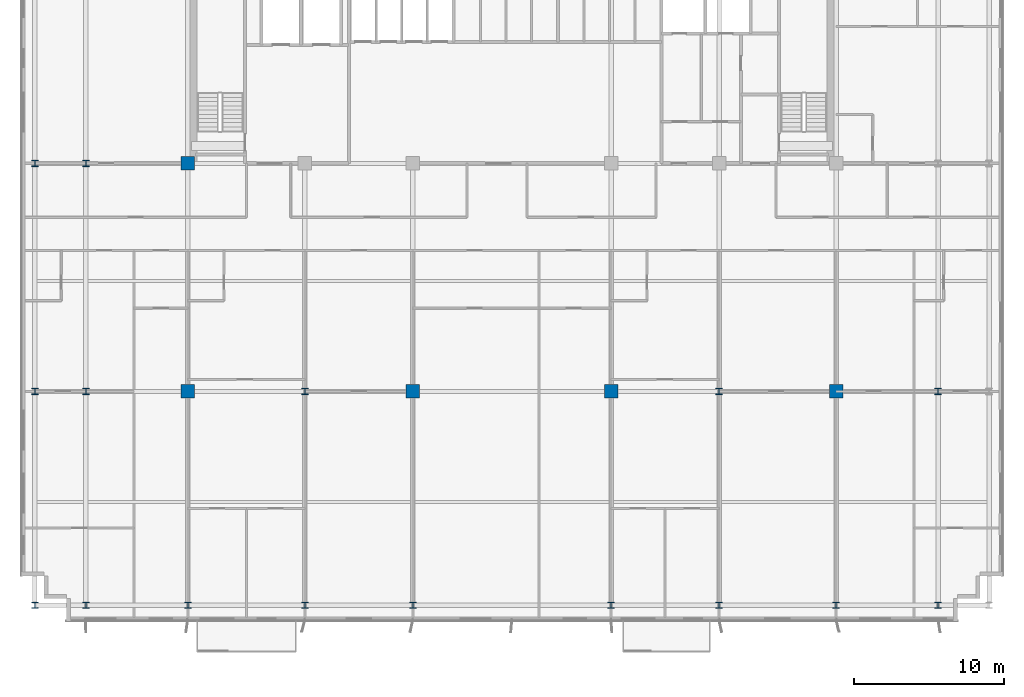
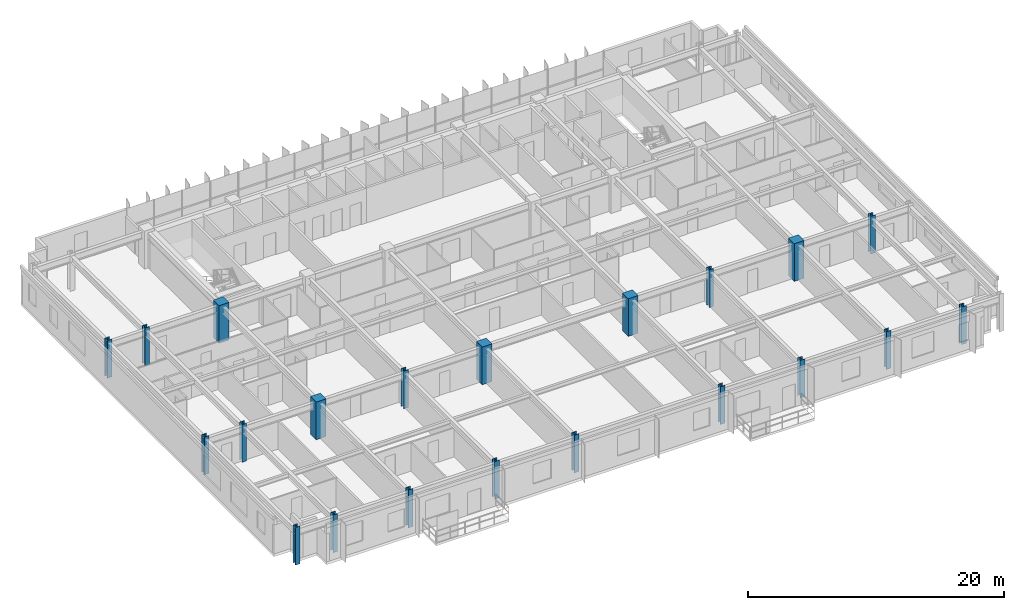
# One storey, part 1 of 22: 21 columns.
"""IFC4 building model written with IfcOpenShell, lengths in metres."""

import ifcopenshell
import ifcopenshell.guid

model = None  # the IFC model being written
_history = None  # IfcOwnerHistory: only IFC2X3 demands one
_inside = {}  # id of a spatial element -> (the spatial element, [elements in it])
_under = {}  # id of a project, library or spatial element -> (it, [spatial elements below it])
_declared = {}  # id of a project -> (the project, [libraries it declares])
_typed = {}  # id of a type object -> (the type object, [elements of that type])
_made_of = {}  # id of a material, layer set ... -> (it, [elements and type objects made of it])


def new_model(schema):
    """Start an empty IFC model of exactly this schema.

    Asked for "IFC4X3", IfcOpenShell would pick the latest addendum, in which some entities
    have other attributes; the version numbers below select the first issue.
    IFC2X3 requires an IfcOwnerHistory on every rooted entity: one is made here for all.
    """
    global model, _history
    if schema == "IFC4X3":
        model = ifcopenshell.file(schema_version=(4, 3, 0, 0))
    else:
        model = ifcopenshell.file(schema=schema)
    _inside.clear()
    _under.clear()
    _declared.clear()
    _typed.clear()
    _made_of.clear()
    _history = None
    if model.schema == "IFC2X3":
        org = make("IfcOrganization", Name="unknown")
        user = make(
            "IfcPersonAndOrganization",
            ThePerson=make("IfcPerson", FamilyName="unknown"),
            TheOrganization=org,
        )
        app = make(
            "IfcApplication",
            ApplicationDeveloper=org,
            Version="unknown",
            ApplicationFullName="unknown",
            ApplicationIdentifier="unknown",
        )
        _history = make(
            "IfcOwnerHistory",
            OwningUser=user,
            OwningApplication=app,
            ChangeAction="ADDED",
            CreationDate=0,
        )
    return model


def make(cls, **values):
    """One entity of the class cls with the attributes given. An attribute that is None is left unset."""
    return model.create_entity(
        cls, **{name: value for name, value in values.items() if value is not None}
    )


def rooted(cls, **values):
    """An entity with a GlobalId (a new one), such as an element, a storey or a relation."""
    return make(cls, GlobalId=ifcopenshell.guid.new(), OwnerHistory=_history, **values)


def si_unit(unit_type, name, prefix=None):
    """IfcSIUnit, for example si_unit("LENGTHUNIT", "METRE", prefix="MILLI")."""
    return make("IfcSIUnit", UnitType=unit_type, Prefix=prefix, Name=name)


def assignment(units):
    """IfcUnitAssignment: the units of a project."""
    return None if units is None else make("IfcUnitAssignment", Units=units)


def point(xyz):
    """IfcCartesianPoint."""
    return None if xyz is None else make("IfcCartesianPoint", Coordinates=xyz)


def direction(xyz):
    """IfcDirection."""
    return None if xyz is None else make("IfcDirection", DirectionRatios=xyz)


def frame(location, z_axis=None, x_axis=None):
    """IfcAxis2Placement3D, a coordinate frame: its origin and axes. An axis left out is left unset."""
    return make(
        "IfcAxis2Placement3D",
        Location=point(location),
        Axis=direction(z_axis),
        RefDirection=direction(x_axis),
    )


def frame_2d(location, x_axis=None):
    """IfcAxis2Placement2D, a coordinate frame in the plane: its origin and x axis."""
    return make(
        "IfcAxis2Placement2D", Location=point(location), RefDirection=direction(x_axis)
    )


def origin():
    """The frame at (0, 0, 0) with its axes left unset."""
    return frame((0.0, 0.0, 0.0))


def origin_2d():
    """The frame at (0, 0) in the plane with its x axis left unset."""
    return frame_2d((0.0, 0.0))


def place(relative_to, where):
    """IfcLocalPlacement: puts the frame where relative to a parent placement (None: the world)."""
    return make(
        "IfcLocalPlacement", PlacementRelTo=relative_to, RelativePlacement=where
    )


def context(
    kind, dimensions, precision=None, world=None, true_north=None, identifier=None
):
    """IfcGeometricRepresentationContext, for example the 3D "Model" context."""
    return make(
        "IfcGeometricRepresentationContext",
        ContextIdentifier=identifier,
        ContextType=kind,
        CoordinateSpaceDimension=dimensions,
        Precision=precision,
        WorldCoordinateSystem=world,
        TrueNorth=true_north,
    )


def subcontext(parent, identifier, kind, view, scale=None):
    """IfcGeometricRepresentationSubContext, for example "Body" below "Model"."""
    return make(
        "IfcGeometricRepresentationSubContext",
        ContextIdentifier=identifier,
        ContextType=kind,
        ParentContext=parent,
        TargetScale=scale,
        TargetView=view,
    )


def project(units=None, contexts=None):
    """IfcProject with its units and contexts."""
    return rooted(
        "IfcProject",
        Name="project",
        RepresentationContexts=contexts,
        UnitsInContext=assignment(units),
    )


def spatial(cls, under=None, at=None, **own):
    """A site, building, storey or space (cls), placed at a placement, below another one or the project."""
    s = rooted(cls, ObjectPlacement=at, **own)
    if under is not None:
        _under.setdefault(under.id(), (under, []))[1].append(s)
    return s


def profile(cls, at=None, kind="AREA", **sizes):
    """A parametric profile (cls). Its sizes go by their IFC names, for example OverallWidth=200.0."""
    return make(cls, ProfileType=kind, Position=at, **sizes)


def rectangle(**sizes):
    """IfcRectangleProfileDef."""
    return profile("IfcRectangleProfileDef", **sizes)


def i_section(**sizes):
    """IfcIShapeProfileDef."""
    return profile("IfcIShapeProfileDef", **sizes)


def extrude(swept, where, along, depth):
    """IfcExtrudedAreaSolid: the profile swept, set in the frame where, extruded along a direction by depth."""
    return make(
        "IfcExtrudedAreaSolid",
        SweptArea=swept,
        Position=where,
        ExtrudedDirection=direction(along),
        Depth=depth,
    )


def shape(context_of_items, identifier, shape_type, items):
    """IfcShapeRepresentation: the items that make up one representation, for example the "Body"."""
    return make(
        "IfcShapeRepresentation",
        ContextOfItems=context_of_items,
        RepresentationIdentifier=identifier,
        RepresentationType=shape_type,
        Items=items,
    )


def source(mapping_origin, context_of_items, identifier, shape_type, items):
    """IfcRepresentationMap: a shape defined once, which mapped items show again and again."""
    return make(
        "IfcRepresentationMap",
        MappingOrigin=mapping_origin,
        MappedRepresentation=shape(context_of_items, identifier, shape_type, items),
    )


def transform(
    local_origin,
    x_axis=None,
    y_axis=None,
    z_axis=None,
    scale=None,
    scale2=None,
    scale3=None,
    uniform=True,
):
    """IfcCartesianTransformationOperator3D, or its non-uniform kind. x_axis, y_axis, z_axis: its Axis1, 2, 3."""
    if uniform:
        return make(
            "IfcCartesianTransformationOperator3D",
            Axis1=direction(x_axis),
            Axis2=direction(y_axis),
            LocalOrigin=point(local_origin),
            Scale=scale,
            Axis3=direction(z_axis),
        )
    return make(
        "IfcCartesianTransformationOperator3DnonUniform",
        Axis1=direction(x_axis),
        Axis2=direction(y_axis),
        LocalOrigin=point(local_origin),
        Scale=scale,
        Axis3=direction(z_axis),
        Scale2=scale2,
        Scale3=scale3,
    )


def mapped(mapping_source, mapping_target):
    """IfcMappedItem: shows the shape of a source again, moved by a transform."""
    return make(
        "IfcMappedItem", MappingSource=mapping_source, MappingTarget=mapping_target
    )


def material(Name=None, Category=None):
    """IfcMaterial."""
    return make("IfcMaterial", Name=Name, Category=Category)


def material_profile(
    of_material, cross_section, Name=None, Category=None, Priority=None
):
    """IfcMaterialProfile: a cross section and its material."""
    return make(
        "IfcMaterialProfile",
        Name=Name,
        Material=of_material,
        Profile=cross_section,
        Priority=Priority,
        Category=Category,
    )


def profile_set(profiles, Name=None, composite=None):
    """IfcMaterialProfileSet."""
    return make(
        "IfcMaterialProfileSet",
        Name=Name,
        MaterialProfiles=profiles,
        CompositeProfile=composite,
    )


def made_of(thing, what):
    """Note that an element or type object is made of a material, layer set ...; save() writes the relation."""
    if what is not None:
        _made_of.setdefault(what.id(), (what, []))[1].append(thing)
    return thing


def type_object(cls, material=None, **own):
    """A type object (cls), such as IfcWallType, which elements share."""
    return made_of(rooted(cls, **own), material)


def element(
    cls,
    number,
    at=None,
    inside=None,
    cuts=None,
    type_object=None,
    material=None,
    context=None,
    identifier="Body",
    shape_type=None,
    held_by="IfcProductDefinitionShape",
    body=None,
    shapes=None,
    **own,
):
    """One element of the class cls, such as IfcWall. Its Tag is "e" and its number.

    at: its placement. inside: the storey or other place that contains it. cuts: it is an
    opening in that element (IfcRelVoidsElement). A single representation is given by context,
    identifier, shape_type and body (its items); several are given by shapes. held_by: the class
    of the entity that holds the representations. save() writes the other relations.
    """
    e = rooted(cls, Tag="e%d" % number, ObjectPlacement=at, **own)
    if body is not None:
        shapes = [shape(context, identifier, shape_type, body)]
    if shapes is not None:
        e.Representation = make(held_by, Representations=shapes)
    if inside is not None:
        _inside.setdefault(inside.id(), (inside, []))[1].append(e)
    if cuts is not None:
        rooted(
            "IfcRelVoidsElement", RelatingBuildingElement=cuts, RelatedOpeningElement=e
        )
    if type_object is not None:
        _typed.setdefault(type_object.id(), (type_object, []))[1].append(e)
    return made_of(e, material)


def aggregate(whole, parts):
    """IfcRelAggregates: a whole, such as a stair, and the parts it consists of."""
    return rooted("IfcRelAggregates", RelatingObject=whole, RelatedObjects=parts)


def save(model, path):
    """Write the relations noted so far, then the file.

    IfcRelAggregates (storeys below a building ...), IfcRelContainedInSpatialStructure (elements
    in a storey), IfcRelDefinesByType, IfcRelAssociatesMaterial and IfcRelDeclares: one each for
    every whole, place, type object, material and project.
    """
    for whole, parts in _under.values():
        aggregate(whole, parts)
    for where, things in _inside.values():
        rooted(
            "IfcRelContainedInSpatialStructure",
            RelatedElements=things,
            RelatingStructure=where,
        )
    for kind, things in _typed.values():
        rooted("IfcRelDefinesByType", RelatedObjects=things, RelatingType=kind)
    for what, things in _made_of.values():
        rooted("IfcRelAssociatesMaterial", RelatedObjects=things, RelatingMaterial=what)
    for by, libraries in _declared.values():
        rooted("IfcRelDeclares", RelatingContext=by, RelatedDefinitions=libraries)
    model.write(path)


model = new_model("IFC4")

# Units and contexts
model_context = context("Model", 3, precision=1e-05, world=origin(), true_north=direction((0.0, 1.0)))
body_context = subcontext(model_context, "Body", "Model", "MODEL_VIEW")
ifc_project = project(units=[si_unit("LENGTHUNIT", "METRE"), si_unit("AREAUNIT", "SQUARE_METRE"), si_unit("VOLUMEUNIT", "CUBIC_METRE"), si_unit("PLANEANGLEUNIT", "RADIAN"), si_unit("MASSUNIT", "GRAM", prefix="KILO")], contexts=[model_context])

# Site, building, storey
site_placement = place(None, origin())
site = spatial("IfcSite", under=ifc_project, at=site_placement, CompositionType="ELEMENT")
building_placement = place(site_placement, origin())
building = spatial("IfcBuilding", under=site, at=building_placement, Name="Trelvane Seafront Commons", CompositionType="ELEMENT")
storey_placement = place(building_placement, frame((0.0, 0.0, 48.699951171875)))
storey = spatial("IfcBuildingStorey", under=building, at=storey_placement, Name="L12", CompositionType="ELEMENT", Elevation=48.699951171875)

# Columns
ifc_material_1 = material(Name="Steel SM355 (S355)", Category="steel")
ifc_material_profile_1 = material_profile(ifc_material_1, i_section(OverallWidth=0.419921875, OverallDepth=0.419921875, WebThickness=0.02587890625, FlangeThickness=0.0400390625, at=origin_2d()), Name="HD-420x420x26x40")
ifc_profile_set_1 = profile_set([ifc_material_profile_1], Name="Steel SM355 (S355)")
column_type_1 = type_object("IfcColumnType", Name="STR-COL-HD420", PredefinedType="COLUMN", material=ifc_profile_set_1)
shared_shape_1 = source(origin(), body_context, "Body", "SweptSolid", [
    extrude(i_section(OverallWidth=0.419921875, OverallDepth=0.419921875, WebThickness=0.02587890625, FlangeThickness=0.0400390625, at=origin_2d()), origin(), (0.0, 0.0, 1.0), 3.60009765625),
])
for number, where, z_axis, x_axis, name in (
    (1, (5.39990234375, 3.949951171875, 0.0), (0.0, 0.0, 1.0), (1.0, 0.0, 0.0), "L12 Column TC-S5.4"),
    (2, (5.39990234375, 18.199951171875, 0.0), (0.0, 0.0, 1.0), (1.0, 0.0, 0.0), "L12 Column TC-M5.4"),
    (3, (5.39990234375, 33.39990234375, 0.0), (0.0, 0.0, 1.0), (1.0, 0.0, 0.0), "L12 Column TC-CS5.4"),
    (4, (8.800048828125, 3.949951171875, 0.0), (0.0, 0.0, 1.0), (1.0, 0.0, 0.0), "L12 Column TC-S8.8"),
    (5, (8.800048828125, 18.199951171875, 0.0), (0.0, 0.0, 1.0), (1.0, 0.0, 0.0), "L12 Column TC-M8.8"),
    (6, (8.800048828125, 33.39990234375, 0.0), (0.0, 0.0, 1.0), (1.0, 0.0, 0.0), "L12 Column TC-CS8.8"),
    (7, (15.60009765625, 3.949951171875, 0.0), (0.0, 0.0, 1.0), (1.0, 0.0, 0.0), "L12 Column TC-S15.6"),
    (8, (23.39990234375, 3.949951171875, 0.0), (0.0, 0.0, 1.0), (1.0, 0.0, 0.0), "L12 Column TC-S23.4"),
    (9, (23.39990234375, 18.199951171875, 0.0), (0.0, 0.0, 1.0), (1.0, 0.0, 0.0), "L12 Column TC-M23.4"),
    (10, (30.60009765625, 3.949951171875, 0.0), (0.0, 0.0, 1.0), (1.0, 0.0, 0.0), "L12 Column TC-S30.6"),
    (11, (43.800048828125, 3.949951171875, 0.0), (0.0, 0.0, 1.0), (1.0, 0.0, 0.0), "L12 Column TC-S43.8"),
    (12, (51.0, 3.949951171875, 0.0), (0.0, 0.0, 1.0), (1.0, 0.0, 0.0), "L12 Column TC-S51.0"),
    (13, (51.0, 18.199951171875, 0.0), (0.0, 0.0, 1.0), (1.0, 0.0, 0.0), "L12 Column TC-M51.0"),
    (14, (58.800048828125, 3.949951171875, 0.0), (0.0, 0.0, 1.0), (1.0, 0.0, 0.0), "L12 Column TC-S58.8"),
    (15, (65.60009765625, 3.949951171875, 0.0), (0.0, 0.0, 1.0), (1.0, 0.0, 0.0), "L12 Column TC-S65.6"),
    (16, (65.60009765625, 18.199951171875, 0.0), (0.0, 0.0, 1.0), (1.0, 0.0, 0.0), "L12 Column TC-M65.6"),
):
    element("IfcColumn", number, at=place(storey_placement, frame(where, z_axis=z_axis, x_axis=x_axis)), inside=storey, type_object=column_type_1, Name=name, PredefinedType="COLUMN", context=body_context, shape_type="MappedRepresentation", body=[
        mapped(shared_shape_1, transform((0.0, 0.0, 0.0), x_axis=(1.0, 0.0, 0.0), y_axis=(0.0, 1.0, 0.0), z_axis=(0.0, 0.0, 1.0), scale=1.0)),
    ])
ifc_material_2 = material(Name="Concrete C60/75", Category="concrete")
ifc_material_profile_2 = material_profile(ifc_material_2, rectangle(XDim=0.89990234375, YDim=0.89990234375, at=origin_2d()), Name="RC-900x900")
ifc_profile_set_2 = profile_set([ifc_material_profile_2], Name="Concrete C60/75")
column_type_2 = type_object("IfcColumnType", Name="STR-COL-RC900", PredefinedType="COLUMN", material=ifc_profile_set_2)
shared_shape_2 = source(origin(), body_context, "Body", "SweptSolid", [
    extrude(rectangle(XDim=0.89990234375, YDim=0.89990234375, at=origin_2d()), origin(), (0.0, 0.0, 1.0), 3.60009765625),
])
for number, where, z_axis, x_axis, name in (
    (17, (15.60009765625, 18.199951171875, 0.0), (0.0, 0.0, 1.0), (1.0, 0.0, 0.0), "L12 Column TC-M15.6"),
    (18, (15.60009765625, 33.39990234375, 0.0), (0.0, 0.0, 1.0), (1.0, 0.0, 0.0), "L12 Column TC-CS15.6"),
    (19, (30.60009765625, 18.199951171875, 0.0), (0.0, 0.0, 1.0), (1.0, 0.0, 0.0), "L12 Column TC-M30.6"),
    (20, (43.800048828125, 18.199951171875, 0.0), (0.0, 0.0, 1.0), (1.0, 0.0, 0.0), "L12 Column TC-M43.8"),
    (21, (58.800048828125, 18.199951171875, 0.0), (0.0, 0.0, 1.0), (1.0, 0.0, 0.0), "L12 Column TC-M58.8"),
):
    element("IfcColumn", number, at=place(storey_placement, frame(where, z_axis=z_axis, x_axis=x_axis)), inside=storey, type_object=column_type_2, Name=name, PredefinedType="COLUMN", context=body_context, shape_type="MappedRepresentation", body=[
        mapped(shared_shape_2, transform((0.0, 0.0, 0.0), x_axis=(1.0, 0.0, 0.0), y_axis=(0.0, 1.0, 0.0), z_axis=(0.0, 0.0, 1.0), scale=1.0)),
    ])

save(model, "model.ifc")
